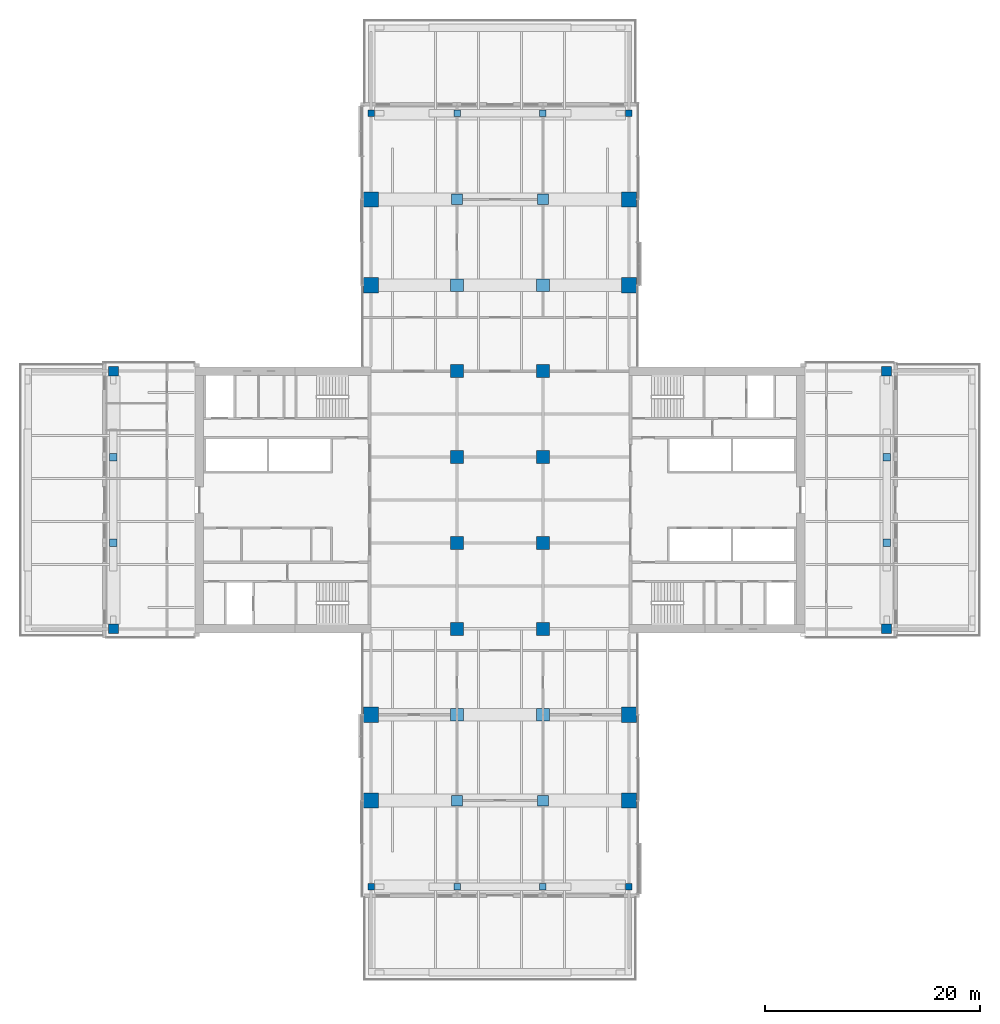
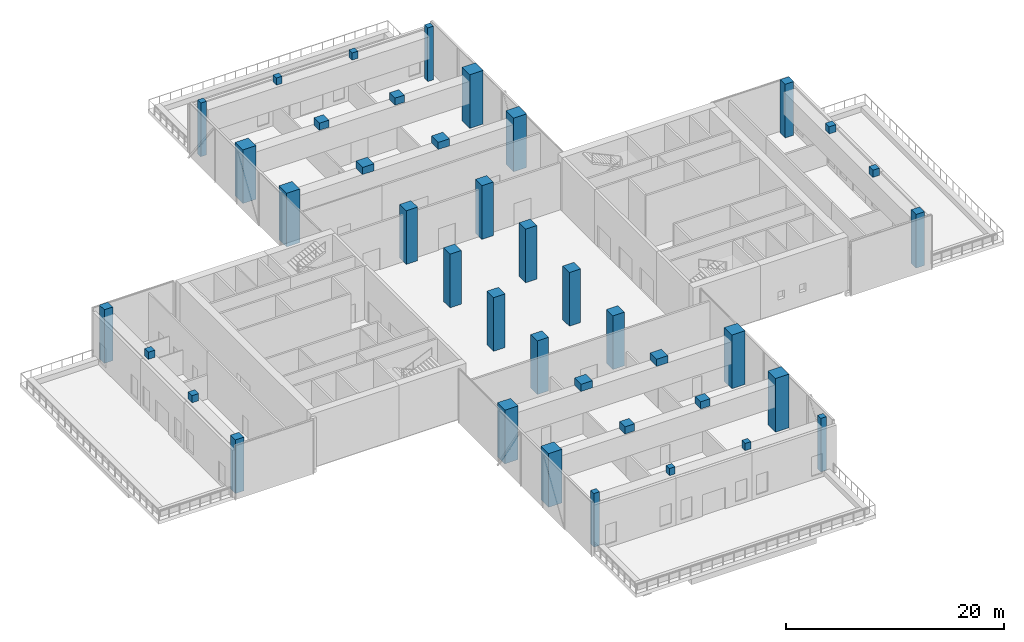
# One storey, part 1 of 23: 40 columns.
"""IFC4 building model written with IfcOpenShell, lengths in metres."""

from ifc_helpers import new_model, si_unit, direction, frame, origin, origin_2d, place, context, subcontext, project, spatial, rectangle, extrude, material, material_profile, profile_set, type_object, element, save


model = new_model("IFC4")

# Units and contexts
model_context = context("Model", 3, precision=1e-05, world=origin(), true_north=direction((0.0, 1.0)))
body_context = subcontext(model_context, "Body", "Model", "MODEL_VIEW")
ifc_project = project(units=[si_unit("LENGTHUNIT", "METRE"), si_unit("AREAUNIT", "SQUARE_METRE"), si_unit("VOLUMEUNIT", "CUBIC_METRE"), si_unit("PLANEANGLEUNIT", "RADIAN"), si_unit("MASSUNIT", "GRAM", prefix="KILO")], contexts=[model_context])

# Site, building, storey
site_placement = place(None, origin())
site = spatial("IfcSite", under=ifc_project, at=site_placement, CompositionType="ELEMENT")
building_placement = place(site_placement, origin())
building = spatial("IfcBuilding", under=site, at=building_placement, Name="Crosswind Convention Tower", CompositionType="ELEMENT")
storey_placement = place(building_placement, frame((0.0, 0.0, 47.5)))
storey = spatial("IfcBuildingStorey", under=building, at=storey_placement, Name="L06", CompositionType="ELEMENT", Elevation=47.5)

# Columns
ifc_material_1 = material(Name="Concrete C70/85", Category="concrete")
ifc_material_profile_1 = material_profile(ifc_material_1, rectangle(XDim=1.199951171875, YDim=1.199951171875, at=origin_2d()), Name="RC 1200X1200")
ifc_profile_set_1 = profile_set([ifc_material_profile_1], Name="Concrete C70/85")
column_type_1 = type_object("IfcColumnType", Name="Column RC 1200X1200", PredefinedType="COLUMN", material=ifc_profile_set_1)
for number, where, z_axis, x_axis, name in (
    (1, (121.0, 88.0, 0.0), (0.0, 0.0, 1.0), (1.0, 0.0, 0.0), "C11 L06 6/E"),
    (2, (121.0, 96.0, 0.0), (0.0, 0.0, 1.0), (1.0, 0.0, 0.0), "C11 L06 6/F"),
    (3, (121.0, 104.0, 0.0), (0.0, 0.0, 1.0), (1.0, 0.0, 0.0), "C11 L06 6/G"),
    (4, (121.0, 112.0, 0.0), (0.0, 0.0, 1.0), (1.0, 0.0, 0.0), "C11 L06 6/H"),
    (5, (129.0, 88.0, 0.0), (0.0, 0.0, 1.0), (1.0, 0.0, 0.0), "C11 L06 7/E"),
    (6, (129.0, 96.0, 0.0), (0.0, 0.0, 1.0), (1.0, 0.0, 0.0), "C11 L06 7/F"),
    (7, (129.0, 104.0, 0.0), (0.0, 0.0, 1.0), (1.0, 0.0, 0.0), "C11 L06 7/G"),
    (8, (129.0, 112.0, 0.0), (0.0, 0.0, 1.0), (1.0, 0.0, 0.0), "C11 L06 7/H"),
):
    element("IfcColumn", number, at=place(storey_placement, frame(where, z_axis=z_axis, x_axis=x_axis)), inside=storey, type_object=column_type_1, Name=name, PredefinedType="COLUMN", context=body_context, shape_type="SweptSolid", body=[
        extrude(rectangle(XDim=1.199951171875, YDim=1.199951171875, at=origin_2d()), origin(), (0.0, 0.0, 1.0), 6.0),
    ])
ifc_material_2 = material(Name="Concrete C80/95", Category="concrete")
ifc_material_profile_2 = material_profile(ifc_material_2, rectangle(XDim=1.39990234375, YDim=1.39990234375, at=origin_2d()), Name="RC 1400X1400")
ifc_profile_set_2 = profile_set([ifc_material_profile_2], Name="Concrete C80/95")
column_type_2 = type_object("IfcColumnType", Name="Column RC 1400X1400", PredefinedType="COLUMN", material=ifc_profile_set_2)
for number, where, z_axis, x_axis, name in (
    (9, (113.0, 72.0, 0.0), (0.0, 0.0, 1.0), (1.0, 0.0, 0.0), "C10 L06 5/C"),
    (10, (113.0, 80.0, 0.0), (0.0, 0.0, 1.0), (1.0, 0.0, 0.0), "C10 L06 5/D"),
    (11, (113.0, 120.0, 0.0), (0.0, 0.0, 1.0), (1.0, 0.0, 0.0), "C10 L06 5/I"),
    (12, (113.0, 128.0, 0.0), (0.0, 0.0, 1.0), (1.0, 0.0, 0.0), "C10 L06 5/J"),
    (13, (137.0, 72.0, 0.0), (0.0, 0.0, 1.0), (1.0, 0.0, 0.0), "C10 L06 8/C"),
    (14, (137.0, 80.0, 0.0), (0.0, 0.0, 1.0), (1.0, 0.0, 0.0), "C10 L06 8/D"),
    (15, (137.0, 120.0, 0.0), (0.0, 0.0, 1.0), (1.0, 0.0, 0.0), "C10 L06 8/I"),
    (16, (137.0, 128.0, 0.0), (0.0, 0.0, 1.0), (1.0, 0.0, 0.0), "C10 L06 8/J"),
):
    element("IfcColumn", number, at=place(storey_placement, frame(where, z_axis=z_axis, x_axis=x_axis)), inside=storey, type_object=column_type_2, Name=name, PredefinedType="COLUMN", context=body_context, shape_type="SweptSolid", body=[
        extrude(rectangle(XDim=1.39990234375, YDim=1.39990234375, at=origin_2d()), origin(), (0.0, 0.0, 1.0), 6.0),
    ])
ifc_material_3 = material(Name="Concrete C60/75", Category="concrete")
ifc_material_profile_3 = material_profile(ifc_material_3, rectangle(XDim=0.60009765625, YDim=0.60009765625, at=origin_2d()), Name="RC 600X600")
ifc_profile_set_3 = profile_set([ifc_material_profile_3], Name="Concrete C60/75")
column_type_3 = type_object("IfcColumnType", Name="Column RC 600X600", PredefinedType="COLUMN", material=ifc_profile_set_3)
for number, where, z_axis, x_axis, name in (
    (17, (113.0, 64.0, 0.0), (0.0, 0.0, 1.0), (1.0, 0.0, 0.0), "C16 L06 5/B"),
    (18, (113.0, 136.0, 0.0), (0.0, 0.0, 1.0), (1.0, 0.0, 0.0), "C16 L06 5/K"),
    (19, (137.0, 64.0, 0.0), (0.0, 0.0, 1.0), (1.0, 0.0, 0.0), "C16 L06 8/B"),
    (20, (137.0, 136.0, 0.0), (0.0, 0.0, 1.0), (1.0, 0.0, 0.0), "C16 L06 8/K"),
):
    element("IfcColumn", number, at=place(storey_placement, frame(where, z_axis=z_axis, x_axis=x_axis)), inside=storey, type_object=column_type_3, Name=name, PredefinedType="COLUMN", context=body_context, shape_type="SweptSolid", body=[
        extrude(rectangle(XDim=0.60009765625, YDim=0.60009765625, at=origin_2d()), origin(), (0.0, 0.0, 1.0), 6.0),
    ])
ifc_material_profile_4 = material_profile(ifc_material_3, rectangle(XDim=0.89990234375, YDim=0.89990234375, at=origin_2d()), Name="RC 900X900")
ifc_profile_set_4 = profile_set([ifc_material_profile_4], Name="Concrete C60/75")
column_type_4 = type_object("IfcColumnType", Name="Column RC 900X900", PredefinedType="COLUMN", material=ifc_profile_set_4)
for number, where, z_axis, x_axis, name in (
    (21, (89.0, 88.0, 0.0), (0.0, 0.0, 1.0), (1.0, 0.0, 0.0), "C13 L06 2/E"),
    (22, (89.0, 112.0, 0.0), (0.0, 0.0, 1.0), (1.0, 0.0, 0.0), "C13 L06 2/H"),
    (23, (161.0, 88.0, 0.0), (0.0, 0.0, 1.0), (1.0, 0.0, 0.0), "C13 L06 11/E"),
    (24, (161.0, 112.0, 0.0), (0.0, 0.0, 1.0), (1.0, 0.0, 0.0), "C13 L06 11/H"),
):
    element("IfcColumn", number, at=place(storey_placement, frame(where, z_axis=z_axis, x_axis=x_axis)), inside=storey, type_object=column_type_4, Name=name, PredefinedType="COLUMN", context=body_context, shape_type="SweptSolid", body=[
        extrude(rectangle(XDim=0.89990234375, YDim=0.89990234375, at=origin_2d()), origin(), (0.0, 0.0, 1.0), 6.0),
    ])
ifc_material_profile_5 = material_profile(ifc_material_1, rectangle(XDim=1.0, YDim=1.0, at=origin_2d()), Name="RC 1000X1000")
ifc_profile_set_5 = profile_set([ifc_material_profile_5], Name="Concrete C70/85")
column_type_5 = type_object("IfcColumnType", Name="Stub column on transfer girder RC 1000X1000", PredefinedType="COLUMN", material=ifc_profile_set_5)
for number, where, z_axis, x_axis, name in (
    (25, (121.0, 72.0, 5.199951171875), (0.0, 0.0, 1.0), (1.0, 0.0, 0.0), "C12S L06 6/C on transfer girder"),
    (26, (121.0, 128.0, 5.199951171875), (0.0, 0.0, 1.0), (1.0, 0.0, 0.0), "C12S L06 6/J on transfer girder"),
    (27, (129.0, 72.0, 5.199951171875), (0.0, 0.0, 1.0), (1.0, 0.0, 0.0), "C12S L06 7/C on transfer girder"),
    (28, (129.0, 128.0, 5.199951171875), (0.0, 0.0, 1.0), (1.0, 0.0, 0.0), "C12S L06 7/J on transfer girder"),
):
    element("IfcColumn", number, at=place(storey_placement, frame(where, z_axis=z_axis, x_axis=x_axis)), inside=storey, type_object=column_type_5, Name=name, PredefinedType="COLUMN", context=body_context, shape_type="SweptSolid", body=[
        extrude(rectangle(XDim=1.0, YDim=1.0, at=origin_2d()), origin(), (0.0, 0.0, 1.0), 0.800048828125),
    ])
ifc_material_profile_6 = material_profile(ifc_material_1, rectangle(XDim=1.199951171875, YDim=1.199951171875, at=origin_2d()), Name="RC 1200X1200")
ifc_profile_set_6 = profile_set([ifc_material_profile_6], Name="Concrete C70/85")
column_type_6 = type_object("IfcColumnType", Name="Stub column on transfer girder RC 1200X1200", PredefinedType="COLUMN", material=ifc_profile_set_6)
for number, where, z_axis, x_axis, name in (
    (29, (121.0, 80.0, 5.199951171875), (0.0, 0.0, 1.0), (1.0, 0.0, 0.0), "C11S L06 6/D on transfer girder"),
    (30, (121.0, 120.0, 5.199951171875), (0.0, 0.0, 1.0), (1.0, 0.0, 0.0), "C11S L06 6/I on transfer girder"),
    (31, (129.0, 80.0, 5.199951171875), (0.0, 0.0, 1.0), (1.0, 0.0, 0.0), "C11S L06 7/D on transfer girder"),
    (32, (129.0, 120.0, 5.199951171875), (0.0, 0.0, 1.0), (1.0, 0.0, 0.0), "C11S L06 7/I on transfer girder"),
):
    element("IfcColumn", number, at=place(storey_placement, frame(where, z_axis=z_axis, x_axis=x_axis)), inside=storey, type_object=column_type_6, Name=name, PredefinedType="COLUMN", context=body_context, shape_type="SweptSolid", body=[
        extrude(rectangle(XDim=1.199951171875, YDim=1.199951171875, at=origin_2d()), origin(), (0.0, 0.0, 1.0), 0.800048828125),
    ])
ifc_material_profile_7 = material_profile(ifc_material_3, rectangle(XDim=0.60009765625, YDim=0.60009765625, at=origin_2d()), Name="RC 600X600")
ifc_profile_set_7 = profile_set([ifc_material_profile_7], Name="Concrete C60/75")
column_type_7 = type_object("IfcColumnType", Name="Stub column on transfer girder RC 600X600", PredefinedType="COLUMN", material=ifc_profile_set_7)
for number, where, z_axis, x_axis, name in (
    (33, (121.0, 64.0, 5.199951171875), (0.0, 0.0, 1.0), (1.0, 0.0, 0.0), "C16S L06 6/B on transfer girder"),
    (34, (121.0, 136.0, 5.199951171875), (0.0, 0.0, 1.0), (1.0, 0.0, 0.0), "C16S L06 6/K on transfer girder"),
    (35, (129.0, 64.0, 5.199951171875), (0.0, 0.0, 1.0), (1.0, 0.0, 0.0), "C16S L06 7/B on transfer girder"),
    (36, (129.0, 136.0, 5.199951171875), (0.0, 0.0, 1.0), (1.0, 0.0, 0.0), "C16S L06 7/K on transfer girder"),
):
    element("IfcColumn", number, at=place(storey_placement, frame(where, z_axis=z_axis, x_axis=x_axis)), inside=storey, type_object=column_type_7, Name=name, PredefinedType="COLUMN", context=body_context, shape_type="SweptSolid", body=[
        extrude(rectangle(XDim=0.60009765625, YDim=0.60009765625, at=origin_2d()), origin(), (0.0, 0.0, 1.0), 0.800048828125),
    ])
ifc_material_profile_8 = material_profile(ifc_material_3, rectangle(XDim=0.699951171875, YDim=0.699951171875, at=origin_2d()), Name="RC 700X700")
ifc_profile_set_8 = profile_set([ifc_material_profile_8], Name="Concrete C60/75")
column_type_8 = type_object("IfcColumnType", Name="Stub column on transfer girder RC 700X700", PredefinedType="COLUMN", material=ifc_profile_set_8)
for number, where, z_axis, x_axis, name in (
    (37, (89.0, 96.0, 5.199951171875), (0.0, 0.0, 1.0), (1.0, 0.0, 0.0), "C15S L06 2/F on transfer girder"),
    (38, (89.0, 104.0, 5.199951171875), (0.0, 0.0, 1.0), (1.0, 0.0, 0.0), "C15S L06 2/G on transfer girder"),
    (39, (161.0, 96.0, 5.199951171875), (0.0, 0.0, 1.0), (1.0, 0.0, 0.0), "C15S L06 11/F on transfer girder"),
    (40, (161.0, 104.0, 5.199951171875), (0.0, 0.0, 1.0), (1.0, 0.0, 0.0), "C15S L06 11/G on transfer girder"),
):
    element("IfcColumn", number, at=place(storey_placement, frame(where, z_axis=z_axis, x_axis=x_axis)), inside=storey, type_object=column_type_8, Name=name, PredefinedType="COLUMN", context=body_context, shape_type="SweptSolid", body=[
        extrude(rectangle(XDim=0.699951171875, YDim=0.699951171875, at=origin_2d()), origin(), (0.0, 0.0, 1.0), 0.800048828125),
    ])

save(model, "model.ifc")
